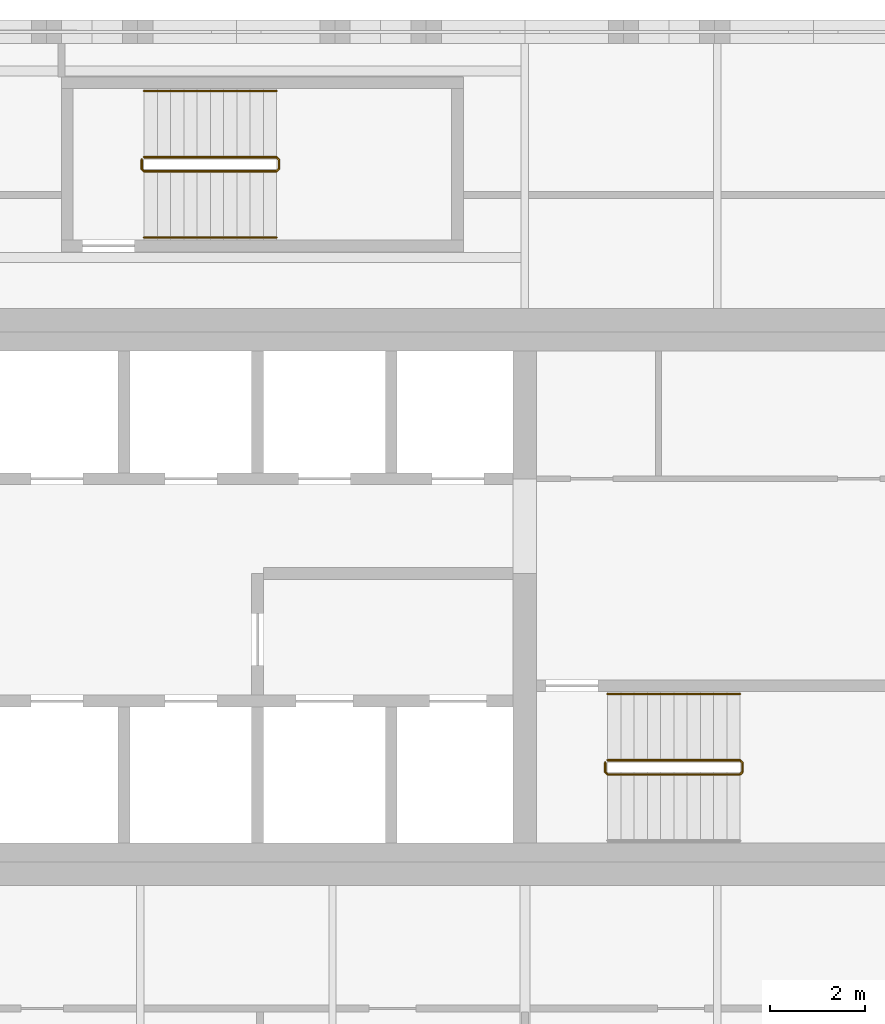
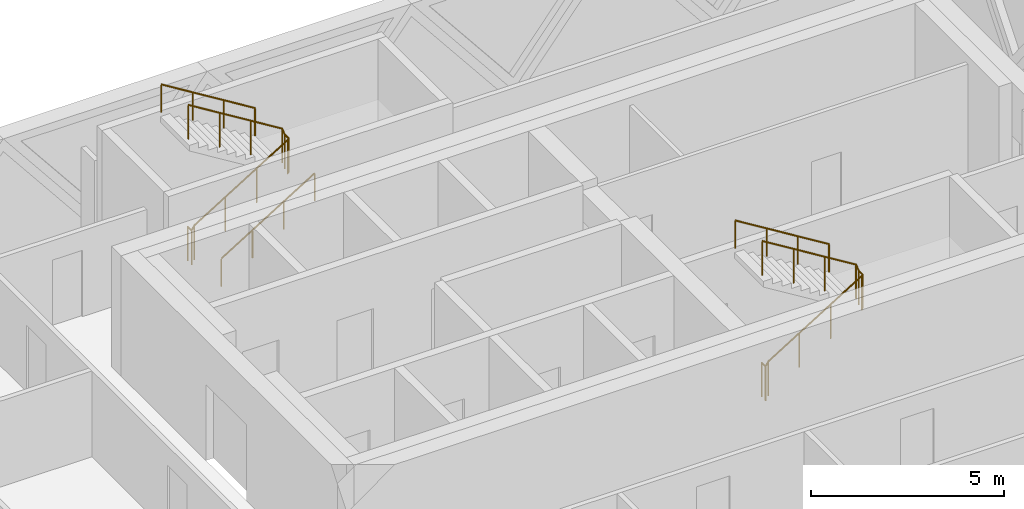
# One storey, part 24 of 24: 5 railings.
"""IFC4 building model written with IfcOpenShell, lengths in metres."""

from ifc_helpers import new_model, si_unit, direction, frame, origin, origin_2d, place, context, subcontext, project, spatial, circle, extrude, material, type_object, element, save


model = new_model("IFC4")

# Units and contexts
model_context = context("Model", 3, precision=1e-05, world=origin(), true_north=direction((0.0, 1.0)))
body_context = subcontext(model_context, "Body", "Model", "MODEL_VIEW")
ifc_project = project(units=[si_unit("LENGTHUNIT", "METRE"), si_unit("AREAUNIT", "SQUARE_METRE"), si_unit("VOLUMEUNIT", "CUBIC_METRE"), si_unit("PLANEANGLEUNIT", "RADIAN"), si_unit("MASSUNIT", "GRAM", prefix="KILO")], contexts=[model_context])

# Site, building, storey
site_placement = place(None, origin())
site = spatial("IfcSite", under=ifc_project, at=site_placement, CompositionType="ELEMENT")
building_placement = place(site_placement, origin())
building = spatial("IfcBuilding", under=site, at=building_placement, Name="Tessera Gate Towers", CompositionType="ELEMENT")
storey_placement = place(building_placement, frame((0.0, 0.0, 102.800048828125)))
storey = spatial("IfcBuildingStorey", under=building, at=storey_placement, Name="L25", CompositionType="ELEMENT", Elevation=102.800048828125)

# Railings
ifc_material_1 = material(Name="Steel 350W", Category="steel")
railing_type_1 = type_object("IfcRailingType", Name="STAIR GUARD 1100", PredefinedType="GUARDRAIL", material=ifc_material_1)
railing_1_placement = place(storey_placement, frame((111.5, 39.199951171875, 0.0)))
element("IfcRailing", 1, at=railing_1_placement, inside=storey, type_object=railing_type_1, Name="L25 ST6 stair guard 1", PredefinedType="GUARDRAIL", context=body_context, shape_type="SweptSolid", body=[
    extrude(circle(Radius=0.02392578125, at=origin_2d()), frame((0.0, 0.0, 1.076171875), z_axis=(0.0, -1.0, 0.0), x_axis=(1.0, 0.0, 0.0)), (0.0, 0.0, 1.0), 0.199951171875),
    extrude(circle(Radius=0.02392578125, at=origin_2d()), frame((0.0, -0.199951171875, 1.076171875), z_axis=(0.268277960024, -0.268277960024, 0.925231793839), x_axis=(0.707106781187, 0.707106781187, 0.0)), (0.0, 0.0, 1.0), 0.1865234375),
    extrude(circle(Radius=0.02392578125, at=origin_2d()), frame((0.050048828125, -0.25, 1.24853515625), z_axis=(0.851089632645, 0.0, 0.525020415988), x_axis=(0.0, 1.0, 0.0)), (0.0, 0.0, 1.0), 3.2900390625),
    extrude(circle(Radius=0.02392578125, at=origin_2d()), frame((2.85009765625, -0.25, 2.97607421875), z_axis=(0.705375805398, 0.708833529934, 0.0), x_axis=(-0.708833529934, 0.705375805398, 0.0)), (0.0, 0.0, 1.0), 0.070556640625),
    extrude(circle(Radius=0.02392578125, at=origin_2d()), frame((2.89990234375, -0.199951171875, 2.97607421875), z_axis=(0.0, 1.0, 0.0), x_axis=(-1.0, 0.0, 0.0)), (0.0, 0.0, 1.0), 0.199951171875),
    extrude(circle(Radius=0.02392578125, at=origin_2d()), frame((2.89990234375, 0.0, 2.97607421875), z_axis=(-0.266739603011, 0.268047150085, 0.925743328097), x_axis=(-0.708833529934, -0.705375805398, 0.0)), (0.0, 0.0, 1.0), 0.186767578125),
    extrude(circle(Radius=0.02392578125, at=origin_2d()), frame((2.85009765625, 0.050048828125, 3.14892578125), z_axis=(-0.851089632645, 0.0, 0.525020415988), x_axis=(0.0, -1.0, 0.0)), (0.0, 0.0, 1.0), 3.2900390625),
    extrude(circle(Radius=0.02099609375, at=origin_2d()), origin(), (0.0, 0.0, 1.0), 1.052001953125),
    extrude(circle(Radius=0.02099609375, at=origin_2d()), frame((0.0, -0.199951171875, 0.0)), (0.0, 0.0, 1.0), 1.052001953125),
    extrude(circle(Radius=0.02099609375, at=origin_2d()), frame((0.050048828125, -0.25, 0.172607421875)), (0.0, 0.0, 1.0), 1.052001953125),
    extrude(circle(Radius=0.02099609375, at=origin_2d()), frame((0.9833984375, -0.25, 0.748291015625)), (0.0, 0.0, 1.0), 1.052001953125),
    extrude(circle(Radius=0.02099609375, at=origin_2d()), frame((1.916748046875, -0.25, 1.32421875)), (0.0, 0.0, 1.0), 1.052001953125),
    extrude(circle(Radius=0.02099609375, at=origin_2d()), frame((2.85009765625, -0.25, 1.89990234375)), (0.0, 0.0, 1.0), 1.052001953125),
    extrude(circle(Radius=0.02099609375, at=origin_2d()), frame((2.89990234375, -0.199951171875, 1.89990234375)), (0.0, 0.0, 1.0), 1.052001953125),
    extrude(circle(Radius=0.02099609375, at=origin_2d()), frame((2.89990234375, 0.0, 1.89990234375)), (0.0, 0.0, 1.0), 1.052001953125),
    extrude(circle(Radius=0.02099609375, at=origin_2d()), frame((2.85009765625, 0.050048828125, 2.07275390625)), (0.0, 0.0, 1.0), 1.052001953125),
    extrude(circle(Radius=0.02099609375, at=origin_2d()), frame((1.916748046875, 0.050048828125, 2.6484375)), (0.0, 0.0, 1.0), 1.052001953125),
    extrude(circle(Radius=0.02099609375, at=origin_2d()), frame((0.9833984375, 0.050048828125, 3.224365234375)), (0.0, 0.0, 1.0), 1.052001953125),
    extrude(circle(Radius=0.02099609375, at=origin_2d()), frame((0.050048828125, 0.050048828125, 3.800048828125)), (0.0, 0.0, 1.0), 1.052001953125),
])
railing_2_placement = place(storey_placement, frame((101.699951171875, 51.949951171875, 0.0)))
element("IfcRailing", 2, at=railing_2_placement, inside=storey, type_object=railing_type_1, Name="L25 ST7 stair guard 1", PredefinedType="GUARDRAIL", context=body_context, shape_type="SweptSolid", body=[
    extrude(circle(Radius=0.02392578125, at=origin_2d()), frame((0.0, 0.0, 1.076171875), z_axis=(0.0, -1.0, 0.0), x_axis=(1.0, 0.0, 0.0)), (0.0, 0.0, 1.0), 0.199951171875),
    extrude(circle(Radius=0.02392578125, at=origin_2d()), frame((0.0, -0.199951171875, 1.076171875), z_axis=(0.268277960024, -0.268277960024, 0.925231793839), x_axis=(0.707106781187, 0.707106781187, 0.0)), (0.0, 0.0, 1.0), 0.1865234375),
    extrude(circle(Radius=0.02392578125, at=origin_2d()), frame((0.050048828125, -0.25, 1.24853515625), z_axis=(0.851089632645, 0.0, 0.525020415988), x_axis=(0.0, 1.0, 0.0)), (0.0, 0.0, 1.0), 3.2900390625),
    extrude(circle(Radius=0.02392578125, at=origin_2d()), frame((2.85009765625, -0.25, 2.97607421875), z_axis=(0.707106781187, 0.707106781187, 0.0), x_axis=(-0.707106781187, 0.707106781187, 0.0)), (0.0, 0.0, 1.0), 0.07080078125),
    extrude(circle(Radius=0.02392578125, at=origin_2d()), frame((2.900146484375, -0.199951171875, 2.97607421875), z_axis=(0.0, 1.0, 0.0), x_axis=(-1.0, 0.0, 0.0)), (0.0, 0.0, 1.0), 0.199951171875),
    extrude(circle(Radius=0.02392578125, at=origin_2d()), frame((2.900146484375, 0.0, 2.97607421875), z_axis=(-0.267953482034, 0.267953482034, 0.925419830635), x_axis=(-0.707106781187, -0.707106781187, 0.0)), (0.0, 0.0, 1.0), 0.186767578125),
    extrude(circle(Radius=0.02392578125, at=origin_2d()), frame((2.85009765625, 0.050048828125, 3.14892578125), z_axis=(-0.851089632645, 0.0, 0.525020415988), x_axis=(0.0, -1.0, 0.0)), (0.0, 0.0, 1.0), 3.2900390625),
    extrude(circle(Radius=0.02099609375, at=origin_2d()), origin(), (0.0, 0.0, 1.0), 1.052001953125),
    extrude(circle(Radius=0.02099609375, at=origin_2d()), frame((0.0, -0.199951171875, 0.0)), (0.0, 0.0, 1.0), 1.052001953125),
    extrude(circle(Radius=0.02099609375, at=origin_2d()), frame((0.050048828125, -0.25, 0.172607421875)), (0.0, 0.0, 1.0), 1.052001953125),
    extrude(circle(Radius=0.02099609375, at=origin_2d()), frame((0.9833984375, -0.25, 0.748291015625)), (0.0, 0.0, 1.0), 1.052001953125),
    extrude(circle(Radius=0.02099609375, at=origin_2d()), frame((1.916748046875, -0.25, 1.32421875)), (0.0, 0.0, 1.0), 1.052001953125),
    extrude(circle(Radius=0.02099609375, at=origin_2d()), frame((2.85009765625, -0.25, 1.89990234375)), (0.0, 0.0, 1.0), 1.052001953125),
    extrude(circle(Radius=0.02099609375, at=origin_2d()), frame((2.900146484375, -0.199951171875, 1.89990234375)), (0.0, 0.0, 1.0), 1.052001953125),
    extrude(circle(Radius=0.02099609375, at=origin_2d()), frame((2.900146484375, 0.0, 1.89990234375)), (0.0, 0.0, 1.0), 1.052001953125),
    extrude(circle(Radius=0.02099609375, at=origin_2d()), frame((2.85009765625, 0.050048828125, 2.07275390625)), (0.0, 0.0, 1.0), 1.052001953125),
    extrude(circle(Radius=0.02099609375, at=origin_2d()), frame((1.916748046875, 0.050048828125, 2.6484375)), (0.0, 0.0, 1.0), 1.052001953125),
    extrude(circle(Radius=0.02099609375, at=origin_2d()), frame((0.9833984375, 0.050048828125, 3.224365234375)), (0.0, 0.0, 1.0), 1.052001953125),
    extrude(circle(Radius=0.02099609375, at=origin_2d()), frame((0.050048828125, 0.050048828125, 3.800048828125)), (0.0, 0.0, 1.0), 1.052001953125),
])
ifc_material_2 = material(Name="Steel 350W", Category="steel")
railing_type_2 = type_object("IfcRailingType", Name="STAIR HANDRAIL 900", PredefinedType="HANDRAIL", material=ifc_material_2)
railing_3_placement = place(storey_placement, frame((114.35009765625, 40.64990234375, 2.07275390625)))
element("IfcRailing", 3, at=railing_3_placement, inside=storey, type_object=railing_type_2, Name="L25 ST6 stair handrail 2", PredefinedType="HANDRAIL", context=body_context, shape_type="SweptSolid", body=[
    extrude(circle(Radius=0.02392578125, at=origin_2d()), frame((0.0, 0.0, 0.8759765625), z_axis=(-0.851089632645, 0.0, 0.525020415988), x_axis=(0.0, -1.0, 0.0)), (0.0, 0.0, 1.0), 3.2900390625),
    extrude(circle(Radius=0.02099609375, at=origin_2d()), origin(), (0.0, 0.0, 1.0), 0.851806640625),
    extrude(circle(Radius=0.02099609375, at=origin_2d()), frame((-0.933349609375, 0.0, 0.57568359375)), (0.0, 0.0, 1.0), 0.851806640625),
    extrude(circle(Radius=0.02099609375, at=origin_2d()), frame((-1.86669921875, 0.0, 1.151611328125)), (0.0, 0.0, 1.0), 0.851806640625),
    extrude(circle(Radius=0.02099609375, at=origin_2d()), frame((-2.800048828125, 0.0, 1.727294921875)), (0.0, 0.0, 1.0), 0.851806640625),
])
railing_4_placement = place(storey_placement, frame((101.75, 50.300048828125, 0.172607421875)))
element("IfcRailing", 4, at=railing_4_placement, inside=storey, type_object=railing_type_2, Name="L25 ST7 stair handrail 1", PredefinedType="HANDRAIL", context=body_context, shape_type="SweptSolid", body=[
    extrude(circle(Radius=0.02392578125, at=origin_2d()), frame((0.0, 0.0, 0.8759765625), z_axis=(0.851089632645, 0.0, 0.525020415988), x_axis=(0.0, 1.0, 0.0)), (0.0, 0.0, 1.0), 3.2900390625),
    extrude(circle(Radius=0.02099609375, at=origin_2d()), origin(), (0.0, 0.0, 1.0), 0.851806640625),
    extrude(circle(Radius=0.02099609375, at=origin_2d()), frame((0.933349609375, 0.0, 0.57568359375)), (0.0, 0.0, 1.0), 0.851806640625),
    extrude(circle(Radius=0.02099609375, at=origin_2d()), frame((1.86669921875, 0.0, 1.151611328125)), (0.0, 0.0, 1.0), 0.851806640625),
    extrude(circle(Radius=0.02099609375, at=origin_2d()), frame((2.800048828125, 0.0, 1.727294921875)), (0.0, 0.0, 1.0), 0.851806640625),
])
railing_5_placement = place(storey_placement, frame((104.550048828125, 53.39990234375, 2.07275390625)))
element("IfcRailing", 5, at=railing_5_placement, inside=storey, type_object=railing_type_2, Name="L25 ST7 stair handrail 2", PredefinedType="HANDRAIL", context=body_context, shape_type="SweptSolid", body=[
    extrude(circle(Radius=0.02392578125, at=origin_2d()), frame((0.0, 0.0, 0.8759765625), z_axis=(-0.851089632645, 0.0, 0.525020415988), x_axis=(0.0, -1.0, 0.0)), (0.0, 0.0, 1.0), 3.2900390625),
    extrude(circle(Radius=0.02099609375, at=origin_2d()), origin(), (0.0, 0.0, 1.0), 0.851806640625),
    extrude(circle(Radius=0.02099609375, at=origin_2d()), frame((-0.933349609375, 0.0, 0.57568359375)), (0.0, 0.0, 1.0), 0.851806640625),
    extrude(circle(Radius=0.02099609375, at=origin_2d()), frame((-1.86669921875, 0.0, 1.151611328125)), (0.0, 0.0, 1.0), 0.851806640625),
    extrude(circle(Radius=0.02099609375, at=origin_2d()), frame((-2.800048828125, 0.0, 1.727294921875)), (0.0, 0.0, 1.0), 0.851806640625),
])

save(model, "model.ifc")
